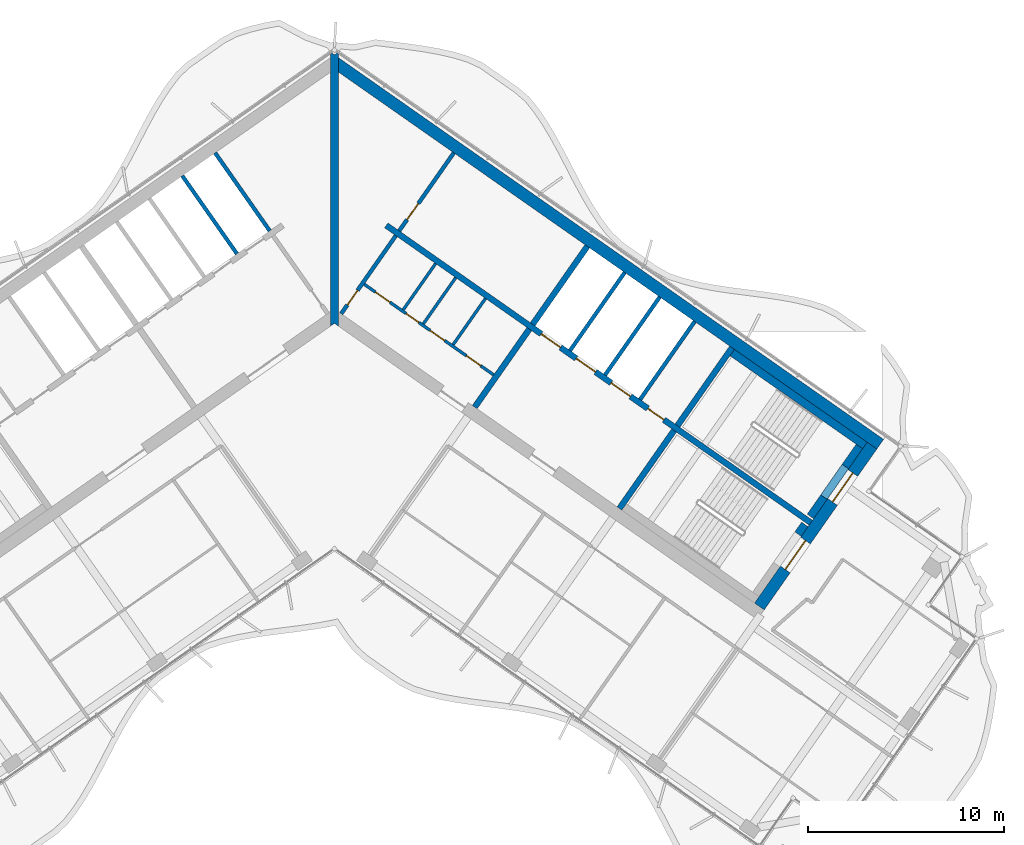
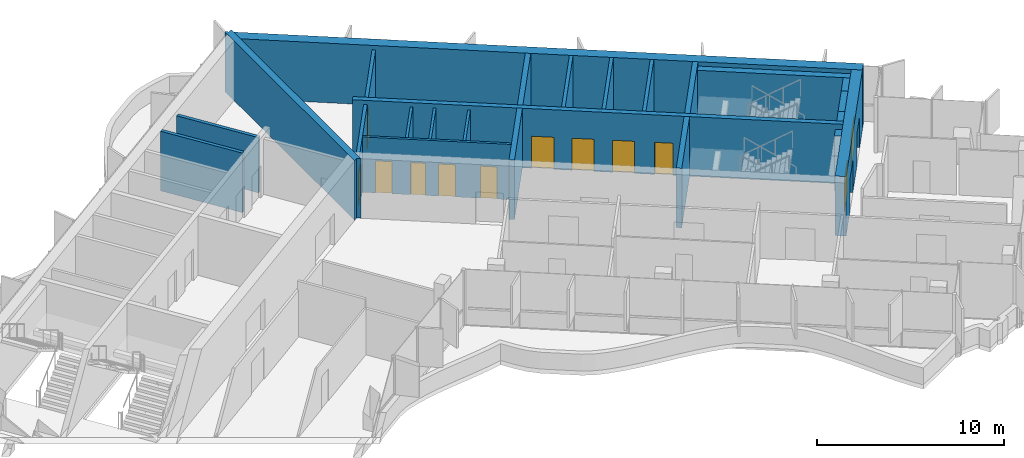
# One storey, part 13 of 20: 24 walls, 12 doors, 12 openings.
"""IFC4 building model written with IfcOpenShell, lengths in metres."""

from ifc_helpers import new_model, si_unit, direction, frame, frame_2d, origin, place, context, subcontext, project, spatial, polyline, rectangle, outline, extrude, material, layer, layer_set, type_object, element, fill, save


model = new_model("IFC4")

# Units and contexts
model_context = context("Model", 3, precision=1e-05, world=origin(), true_north=direction((0.0, 1.0)))
body_context = subcontext(model_context, "Body", "Model", "MODEL_VIEW")
ifc_project = project(units=[si_unit("LENGTHUNIT", "METRE"), si_unit("AREAUNIT", "SQUARE_METRE"), si_unit("VOLUMEUNIT", "CUBIC_METRE"), si_unit("PLANEANGLEUNIT", "RADIAN"), si_unit("MASSUNIT", "GRAM", prefix="KILO")], contexts=[model_context])

# Site, building, storey
site_placement = place(None, origin())
site = spatial("IfcSite", under=ifc_project, at=site_placement, CompositionType="ELEMENT")
building_placement = place(site_placement, origin())
building = spatial("IfcBuilding", under=site, at=building_placement, Name="Tel Ilan Convention Tower", CompositionType="ELEMENT")
storey_placement = place(building_placement, frame((0.0, 0.0, 244.89990234375)))
storey = spatial("IfcBuildingStorey", under=building, at=storey_placement, Name="L57", CompositionType="ELEMENT", Elevation=244.89990234375)

# Wall, openings, doors
ifc_material_1 = material(Name="Gypsum Plasterboard on Steel Stud", Category="steel")
ifc_layer_1 = layer(ifc_material_1, 0.14990234375)
ifc_layer_set_1 = layer_set([ifc_layer_1], Name="Core Room Partition Wall 150 mm EI 60")
wall_type_1 = type_object("IfcWallType", Name="Core Room Partition Wall 150 mm EI 60", PredefinedType="PARTITIONING", material=ifc_layer_set_1)
wall_1_placement = place(storey_placement, frame((1.515625, 0.77001953125, 0.0), z_axis=(0.0, 0.0, 1.0), x_axis=(0.819146424436, -0.573584462249, 0.0)))
wall_1 = element("IfcWall", 1, at=wall_1_placement, inside=storey, type_object=wall_type_1, Name="L57 core wall wc-h1", PredefinedType="PARTITIONING", context=body_context, shape_type="SweptSolid", body=[
    extrude(rectangle(XDim=8.050048828125, YDim=0.14990234375, at=frame_2d((4.02490234375, 0.0))), origin(), (0.0, 0.0, 1.0), 3.6201171875),
])
opening_1_placement = place(wall_1_placement, frame((0.699951171875, 0.0, 0.0)))
opening_1 = element("IfcOpeningElement", 2, at=opening_1_placement, cuts=wall_1, Name="Opening CD4413", PredefinedType="OPENING", context=body_context, shape_type="SweptSolid", body=[
    extrude(rectangle(XDim=0.89990234375, YDim=2.10009765625, at=frame_2d((0.449951171875, 1.050048828125))), frame((0.0, 0.0849609375, 0.0), z_axis=(0.0, -1.0, 0.0), x_axis=(1.0, 0.0, 0.0)), (0.0, 0.0, 1.0), 0.169921875),
])
opening_2_placement = place(wall_1_placement, frame((2.60009765625, 0.0, 0.0)))
opening_2 = element("IfcOpeningElement", 3, at=opening_2_placement, cuts=wall_1, Name="Opening CD4412", PredefinedType="OPENING", context=body_context, shape_type="SweptSolid", body=[
    extrude(rectangle(XDim=0.800048828125, YDim=2.10009765625, at=frame_2d((0.39990234375, 1.050048828125))), frame((0.0, 0.0849609375, 0.0), z_axis=(0.0, -1.0, 0.0), x_axis=(1.0, 0.0, 0.0)), (0.0, 0.0, 1.0), 0.169921875),
])
opening_3_placement = place(wall_1_placement, frame((4.10009765625, 0.0, 0.0)))
opening_3 = element("IfcOpeningElement", 4, at=opening_3_placement, cuts=wall_1, Name="Opening CD4411", PredefinedType="OPENING", context=body_context, shape_type="SweptSolid", body=[
    extrude(rectangle(XDim=0.89990234375, YDim=2.10009765625, at=frame_2d((0.449951171875, 1.050048828125))), frame((0.0, 0.0849609375, 0.0), z_axis=(0.0, -1.0, 0.0), x_axis=(1.0, 0.0, 0.0)), (0.0, 0.0, 1.0), 0.169921875),
])
opening_4_placement = place(wall_1_placement, frame((6.35009765625, 0.0, 0.0)))
opening_4 = element("IfcOpeningElement", 5, at=opening_4_placement, cuts=wall_1, Name="Opening CD4414", PredefinedType="OPENING", context=body_context, shape_type="SweptSolid", body=[
    extrude(rectangle(XDim=0.89990234375, YDim=2.10009765625, at=frame_2d((0.449951171875, 1.050048828125))), frame((0.0, 0.0849609375, 0.0), z_axis=(0.0, -1.0, 0.0), x_axis=(1.0, 0.0, 0.0)), (0.0, 0.0, 1.0), 0.169921875),
])
ifc_material_2 = material(Name="Galvanised Steel Door Leaf", Category="steel")
door_type_1 = type_object("IfcDoorType", Name="Store Door 800 x 2100 FD60", OperationType="NOTDEFINED", PredefinedType="DOOR", material=ifc_material_2)
door_1_placement = place(opening_2_placement, origin())
door_1 = element("IfcDoor", 6, at=door_1_placement, inside=storey, type_object=door_type_1, Name="Cleaner's store door", OperationType="SINGLE_SWING_RIGHT", OverallHeight=2.10009765625, OverallWidth=0.800048828125, PredefinedType="DOOR", context=body_context, shape_type="SweptSolid", body=[
    extrude(rectangle(XDim=0.800048828125, YDim=2.10009765625, at=frame_2d((0.39990234375, 1.050048828125))), frame((0.0, 0.02490234375, 0.0), z_axis=(0.0, -1.0, 0.0), x_axis=(1.0, 0.0, 0.0)), (0.0, 0.0, 1.0), 0.050048828125),
])
fill(opening_2, door_1)
ifc_material_3 = material(Name="Laminated Timber Door Leaf", Category="wood")
door_type_2 = type_object("IfcDoorType", Name="Toilet Door 900 x 2100 FD30S", OperationType="NOTDEFINED", PredefinedType="DOOR", material=ifc_material_3)
door_2_placement = place(opening_1_placement, origin())
door_2 = element("IfcDoor", 7, at=door_2_placement, inside=storey, type_object=door_type_2, Name="Men's WC door", OperationType="SINGLE_SWING_RIGHT", OverallHeight=2.10009765625, OverallWidth=0.89990234375, PredefinedType="DOOR", context=body_context, shape_type="SweptSolid", body=[
    extrude(rectangle(XDim=0.89990234375, YDim=2.10009765625, at=frame_2d((0.449951171875, 1.050048828125))), frame((0.0, 0.02490234375, 0.0), z_axis=(0.0, -1.0, 0.0), x_axis=(1.0, 0.0, 0.0)), (0.0, 0.0, 1.0), 0.050048828125),
])
fill(opening_1, door_2)
door_3_placement = place(opening_3_placement, origin())
door_3 = element("IfcDoor", 8, at=door_3_placement, inside=storey, type_object=door_type_2, Name="Accessible WC door", OperationType="SINGLE_SWING_RIGHT", OverallHeight=2.10009765625, OverallWidth=0.89990234375, PredefinedType="DOOR", context=body_context, shape_type="SweptSolid", body=[
    extrude(rectangle(XDim=0.89990234375, YDim=2.10009765625, at=frame_2d((0.449951171875, 1.050048828125))), frame((0.0, 0.02490234375, 0.0), z_axis=(0.0, -1.0, 0.0), x_axis=(1.0, 0.0, 0.0)), (0.0, 0.0, 1.0), 0.050048828125),
])
fill(opening_3, door_3)
door_4_placement = place(opening_4_placement, origin())
door_4 = element("IfcDoor", 9, at=door_4_placement, inside=storey, type_object=door_type_2, Name="Women's WC door", OperationType="SINGLE_SWING_RIGHT", OverallHeight=2.10009765625, OverallWidth=0.89990234375, PredefinedType="DOOR", context=body_context, shape_type="SweptSolid", body=[
    extrude(rectangle(XDim=0.89990234375, YDim=2.10009765625, at=frame_2d((0.449951171875, 1.050048828125))), frame((0.0, 0.02490234375, 0.0), z_axis=(0.0, -1.0, 0.0), x_axis=(1.0, 0.0, 0.0)), (0.0, 0.0, 1.0), 0.050048828125),
])
fill(opening_4, door_4)

# Walls
wall_2_placement = place(storey_placement, frame((3.504150390625, -0.531005859375, 0.0), z_axis=(0.0, 0.0, 1.0), x_axis=(0.573582013179, 0.819148139324, 0.0)))
element("IfcWall", 10, at=wall_2_placement, inside=storey, type_object=wall_type_1, Name="L57 core wall wc-v0", PredefinedType="PARTITIONING", context=body_context, shape_type="SweptSolid", body=[
    extrude(rectangle(XDim=2.875244140625, YDim=0.14990234375, at=frame_2d((1.4375, 0.0))), origin(), (0.0, 0.0, 1.0), 3.6201171875),
])
wall_3_placement = place(storey_placement, frame((4.528076171875, -1.247802734375, 0.0), z_axis=(0.0, 0.0, 1.0), x_axis=(0.573621911162, 0.819120200602, 0.0)))
element("IfcWall", 11, at=wall_3_placement, inside=storey, type_object=wall_type_1, Name="L57 core wall wc-v1", PredefinedType="PARTITIONING", context=body_context, shape_type="SweptSolid", body=[
    extrude(rectangle(XDim=2.875, YDim=0.14990234375, at=frame_2d((1.4375, 0.0))), origin(), (0.0, 0.0, 1.0), 3.6201171875),
])
wall_4_placement = place(storey_placement, frame((6.043701171875, -2.30908203125, 0.0), z_axis=(0.0, 0.0, 1.0), x_axis=(0.573564930514, 0.819160100642, 0.0)))
element("IfcWall", 12, at=wall_4_placement, inside=storey, type_object=wall_type_1, Name="L57 core wall wc-v2", PredefinedType="PARTITIONING", context=body_context, shape_type="SweptSolid", body=[
    extrude(rectangle(XDim=2.874755859375, YDim=0.14990234375, at=frame_2d((1.4375, 0.0))), origin(), (0.0, 0.0, 1.0), 3.6201171875),
])
ifc_material_4 = material(Name="Concrete C30/37", Category="concrete")
ifc_layer_2 = layer(ifc_material_4, 0.199951171875)
ifc_layer_set_2 = layer_set([ifc_layer_2], Name="Core Service Room Wall 200 mm C30/37")
wall_type_2 = type_object("IfcWallType", Name="Core Service Room Wall 200 mm C30/37", PredefinedType="SOLIDWALL", material=ifc_layer_set_2)
wall_5_placement = place(storey_placement, frame((-3.2978515625, 3.489501953125, 0.0), z_axis=(0.0, 0.0, 1.0), x_axis=(-0.573560315113, 0.819163332265, 0.0)))
element("IfcWall", 13, at=wall_5_placement, inside=storey, type_object=wall_type_2, Name="L57 core wall apex-W-b", PredefinedType="SOLIDWALL", context=body_context, shape_type="SweptSolid", body=[
    extrude(rectangle(XDim=4.849853515625, YDim=0.199951171875, at=frame_2d((2.4248046875, 0.0))), origin(), (0.0, 0.0, 1.0), 3.6201171875),
])

# Wall, opening, door
wall_6_placement = place(storey_placement, frame((0.343994140625, -0.729248046875, 0.0), z_axis=(0.0, 0.0, 1.0), x_axis=(0.573560315113, 0.819163332265, 0.0)))
wall_6 = element("IfcWall", 14, at=wall_6_placement, inside=storey, type_object=wall_type_2, Name="L57 core wall apex-E", PredefinedType="SOLIDWALL", context=body_context, shape_type="SweptSolid", body=[
    extrude(rectangle(XDim=4.849853515625, YDim=0.199951171875, at=frame_2d((2.4248046875, 0.0))), origin(), (0.0, 0.0, 1.0), 3.6201171875),
])
opening_5_placement = place(wall_6_placement, frame((0.550048828125, 0.0, 0.0)))
opening_5 = element("IfcOpeningElement", 15, at=opening_5_placement, cuts=wall_6, Name="Opening CD4401", PredefinedType="OPENING", context=body_context, shape_type="SweptSolid", body=[
    extrude(rectangle(XDim=0.89990234375, YDim=2.10009765625, at=frame_2d((0.449951171875, 1.050048828125))), frame((0.0, 0.10986328125, 0.0), z_axis=(0.0, -1.0, 0.0), x_axis=(1.0, 0.0, 0.0)), (0.0, 0.0, 1.0), 0.219970703125),
])
ifc_material_5 = material(Name="Galvanised Steel Door Leaf", Category="steel")
door_type_3 = type_object("IfcDoorType", Name="Service Room Door 900 x 2100 FD60", OperationType="NOTDEFINED", PredefinedType="DOOR", material=ifc_material_5)
door_5_placement = place(opening_5_placement, origin())
door_5 = element("IfcDoor", 16, at=door_5_placement, inside=storey, type_object=door_type_3, Name="Electrical Room door", OperationType="SINGLE_SWING_RIGHT", OverallHeight=2.10009765625, OverallWidth=0.89990234375, PredefinedType="DOOR", context=body_context, shape_type="SweptSolid", body=[
    extrude(rectangle(XDim=0.89990234375, YDim=2.10009765625, at=frame_2d((0.449951171875, 1.050048828125))), frame((0.0, 0.02490234375, 0.0), z_axis=(0.0, -1.0, 0.0), x_axis=(1.0, 0.0, 0.0)), (0.0, 0.0, 1.0), 0.050048828125),
])
fill(opening_5, door_5)

wall_7_placement = place(storey_placement, frame((3.2978515625, 3.489501953125, 0.0), z_axis=(0.0, 0.0, 1.0), x_axis=(0.573560315113, 0.819163332265, 0.0)))
wall_7 = element("IfcWall", 17, at=wall_7_placement, inside=storey, type_object=wall_type_2, Name="L57 core wall apex-E-b", PredefinedType="SOLIDWALL", context=body_context, shape_type="SweptSolid", body=[
    extrude(rectangle(XDim=4.849853515625, YDim=0.199951171875, at=frame_2d((2.4248046875, 0.0))), origin(), (0.0, 0.0, 1.0), 3.6201171875),
])
opening_6_placement = place(wall_7_placement, frame((0.699951171875, 0.0, 0.0)))
opening_6 = element("IfcOpeningElement", 18, at=opening_6_placement, cuts=wall_7, Name="Opening CD4403", PredefinedType="OPENING", context=body_context, shape_type="SweptSolid", body=[
    extrude(rectangle(XDim=1.0, YDim=2.10009765625, at=frame_2d((0.5, 1.050048828125))), frame((0.0, 0.10986328125, 0.0), z_axis=(0.0, -1.0, 0.0), x_axis=(1.0, 0.0, 0.0)), (0.0, 0.0, 1.0), 0.219970703125),
])
ifc_material_6 = material(Name="Galvanised Steel Door Leaf", Category="steel")
door_type_4 = type_object("IfcDoorType", Name="Service Room Door 1000 x 2100 FD60", OperationType="NOTDEFINED", PredefinedType="DOOR", material=ifc_material_6)
door_6_placement = place(opening_6_placement, origin())
door_6 = element("IfcDoor", 19, at=door_6_placement, inside=storey, type_object=door_type_4, Name="Plant Room door", OperationType="SINGLE_SWING_RIGHT", OverallHeight=2.10009765625, OverallWidth=1.0, PredefinedType="DOOR", context=body_context, shape_type="SweptSolid", body=[
    extrude(rectangle(XDim=1.0, YDim=2.10009765625, at=frame_2d((0.5, 1.050048828125))), frame((0.0, 0.02490234375, 0.0), z_axis=(0.0, -1.0, 0.0), x_axis=(1.0, 0.0, 0.0)), (0.0, 0.0, 1.0), 0.050048828125),
])
fill(opening_6, door_6)

# Walls
ifc_material_7 = material(Name="Concrete C40/50", Category="concrete")
ifc_layer_3 = layer(ifc_material_7, 0.300048828125)
ifc_layer_set_3 = layer_set([ifc_layer_3], Name="Core Shear Wall 300 mm C40/50")
wall_type_3 = type_object("IfcWallType", Name="Core Shear Wall 300 mm C40/50", PredefinedType="SHEAR", material=ifc_layer_set_3)
wall_8_placement = place(storey_placement, frame((7.142822265625, -5.48974609375, 0.0), z_axis=(0.0, 0.0, 1.0), x_axis=(0.573617744349, 0.819123118565, 0.0)))
element("IfcWall", 20, at=wall_8_placement, inside=storey, type_object=wall_type_3, Name="L57 core wall E-cross1-1", PredefinedType="SHEAR", context=body_context, shape_type="SweptSolid", body=[
    extrude(outline(polyline([(0.0, 0.14990234375), (0.0, -0.150146484375), (4.85009765625, -0.14990234375), (4.85009765625, 0.150146484375), (0.0, 0.14990234375)])), origin(), (0.0, 0.0, 1.0), 3.900146484375),
])
wall_9_placement = place(storey_placement, frame((10.096923828125, -1.271240234375, 0.0), z_axis=(0.0, 0.0, 1.0), x_axis=(0.573560315113, 0.819163332265, 0.0)))
element("IfcWall", 21, at=wall_9_placement, inside=storey, type_object=wall_type_3, Name="L57 core wall E-cross1-2", PredefinedType="SHEAR", context=body_context, shape_type="SweptSolid", body=[
    extrude(outline(polyline([(4.849853515625, -0.150146484375), (4.849853515625, 0.14990234375), (0.0, 0.150146484375), (0.0, -0.14990234375), (4.849853515625, -0.150146484375)])), origin(), (0.0, 0.0, 1.0), 3.900146484375),
])
wall_10_placement = place(storey_placement, frame((14.515380859375, -10.652099609375, 0.0), z_axis=(0.0, 0.0, 1.0), x_axis=(0.573560315113, 0.819163332265, 0.0)))
element("IfcWall", 22, at=wall_10_placement, inside=storey, type_object=wall_type_3, Name="L57 core wall E-cross2-1", PredefinedType="SHEAR", context=body_context, shape_type="SweptSolid", body=[
    extrude(outline(polyline([(0.0, 0.150146484375), (0.0, -0.14990234375), (4.85009765625, -0.14990234375), (4.85009765625, 0.14990234375), (0.0, 0.150146484375)])), origin(), (0.0, 0.0, 1.0), 3.900146484375),
])
wall_11_placement = place(storey_placement, frame((17.46923828125, -6.433349609375, 0.0), z_axis=(0.0, 0.0, 1.0), x_axis=(0.573594092424, 0.81913968109, 0.0)))
element("IfcWall", 23, at=wall_11_placement, inside=storey, type_object=wall_type_3, Name="L57 core wall E-cross2-2", PredefinedType="SHEAR", context=body_context, shape_type="SweptSolid", body=[
    extrude(outline(polyline([(4.849853515625, -0.14990234375), (4.849853515625, 0.150146484375), (0.0, 0.14990234375), (0.0, -0.14990234375), (4.849853515625, -0.14990234375)])), origin(), (0.0, 0.0, 1.0), 3.900146484375),
])

# Wall, openings, doors
wall_12_placement = place(storey_placement, frame((2.638427734375, 3.76806640625, 0.0), z_axis=(0.0, 0.0, 1.0), x_axis=(0.819155014212, -0.573572194837, 0.0)))
wall_12 = element("IfcWall", 24, at=wall_12_placement, inside=storey, type_object=wall_type_3, Name="L57 core wall E-spine", PredefinedType="SHEAR", context=body_context, shape_type="SweptSolid", body=[
    extrude(outline(polyline([(0.0, 0.150146484375), (0.0, -0.14990234375), (26.39990234375, -0.150146484375), (26.39990234375, 0.14990234375), (0.0, 0.150146484375)])), origin(), (0.0, 0.0, 1.0), 3.900146484375),
])
opening_7_placement = place(wall_12_placement, frame((9.637451171875, 0.0, 0.0)))
opening_7 = element("IfcOpeningElement", 25, at=opening_7_placement, cuts=wall_12, Name="Opening LD4401", PredefinedType="OPENING", context=body_context, shape_type="SweptSolid", body=[
    extrude(rectangle(XDim=1.199951171875, YDim=2.10009765625, at=frame_2d((0.60009765625, 1.050048828125))), frame((0.0, 0.159912109375, 0.0), z_axis=(0.0, -1.0, 0.0), x_axis=(1.0, 0.0, 0.0)), (0.0, 0.0, 1.0), 0.320068359375),
])
opening_8_placement = place(wall_12_placement, frame((11.8125, 0.0, 0.0)))
opening_8 = element("IfcOpeningElement", 26, at=opening_8_placement, cuts=wall_12, Name="Opening LD4402", PredefinedType="OPENING", context=body_context, shape_type="SweptSolid", body=[
    extrude(rectangle(XDim=1.199951171875, YDim=2.10009765625, at=frame_2d((0.60009765625, 1.050048828125))), frame((0.0, 0.159912109375, 0.0), z_axis=(0.0, -1.0, 0.0), x_axis=(1.0, 0.0, 0.0)), (0.0, 0.0, 1.0), 0.320068359375),
])
opening_9_placement = place(wall_12_placement, frame((13.987548828125, 0.0, 0.0)))
opening_9 = element("IfcOpeningElement", 27, at=opening_9_placement, cuts=wall_12, Name="Opening LD4403", PredefinedType="OPENING", context=body_context, shape_type="SweptSolid", body=[
    extrude(rectangle(XDim=1.199951171875, YDim=2.10009765625, at=frame_2d((0.60009765625, 1.050048828125))), frame((0.0, 0.159912109375, 0.0), z_axis=(0.0, -1.0, 0.0), x_axis=(1.0, 0.0, 0.0)), (0.0, 0.0, 1.0), 0.320068359375),
])
opening_10_placement = place(wall_12_placement, frame((16.262451171875, 0.0, 0.0)))
opening_10 = element("IfcOpeningElement", 28, at=opening_10_placement, cuts=wall_12, Name="Opening CD4408", PredefinedType="OPENING", context=body_context, shape_type="SweptSolid", body=[
    extrude(rectangle(XDim=1.0, YDim=2.10009765625, at=frame_2d((0.5, 1.050048828125))), frame((0.0, 0.159912109375, 0.0), z_axis=(0.0, -1.0, 0.0), x_axis=(1.0, 0.0, 0.0)), (0.0, 0.0, 1.0), 0.320068359375),
])
ifc_material_8 = material(Name="Stainless Steel Sliding Door Leaf", Category="steel")
door_type_5 = type_object("IfcDoorType", Name="Lift Landing Door 1200 x 2100 FD120", OperationType="NOTDEFINED", PredefinedType="DOOR", material=ifc_material_8)
door_7_placement = place(opening_7_placement, origin())
door_7 = element("IfcDoor", 29, at=door_7_placement, inside=storey, type_object=door_type_5, Name="Lift FL1 landing door", OperationType="SLIDING_TO_LEFT", OverallHeight=2.10009765625, OverallWidth=1.199951171875, PredefinedType="DOOR", context=body_context, shape_type="SweptSolid", body=[
    extrude(rectangle(XDim=1.199951171875, YDim=2.10009765625, at=frame_2d((0.60009765625, 1.050048828125))), frame((0.0, 0.02490234375, 0.0), z_axis=(0.0, -1.0, 0.0), x_axis=(1.0, 0.0, 0.0)), (0.0, 0.0, 1.0), 0.050048828125),
])
fill(opening_7, door_7)
door_8_placement = place(opening_8_placement, origin())
door_8 = element("IfcDoor", 30, at=door_8_placement, inside=storey, type_object=door_type_5, Name="Lift FL2 landing door", OperationType="SLIDING_TO_RIGHT", OverallHeight=2.10009765625, OverallWidth=1.199951171875, PredefinedType="DOOR", context=body_context, shape_type="SweptSolid", body=[
    extrude(rectangle(XDim=1.199951171875, YDim=2.10009765625, at=frame_2d((0.60009765625, 1.050048828125))), frame((0.0, 0.02490234375, 0.0), z_axis=(0.0, -1.0, 0.0), x_axis=(1.0, 0.0, 0.0)), (0.0, 0.0, 1.0), 0.050048828125),
])
fill(opening_8, door_8)
door_9_placement = place(opening_9_placement, origin())
door_9 = element("IfcDoor", 31, at=door_9_placement, inside=storey, type_object=door_type_5, Name="Lift FL3 landing door", OperationType="SLIDING_TO_LEFT", OverallHeight=2.10009765625, OverallWidth=1.199951171875, PredefinedType="DOOR", context=body_context, shape_type="SweptSolid", body=[
    extrude(rectangle(XDim=1.199951171875, YDim=2.10009765625, at=frame_2d((0.60009765625, 1.050048828125))), frame((0.0, 0.02490234375, 0.0), z_axis=(0.0, -1.0, 0.0), x_axis=(1.0, 0.0, 0.0)), (0.0, 0.0, 1.0), 0.050048828125),
])
fill(opening_9, door_9)
door_10_placement = place(opening_10_placement, origin())
door_10 = element("IfcDoor", 32, at=door_10_placement, inside=storey, type_object=door_type_4, Name="Plant Room door", OperationType="SINGLE_SWING_RIGHT", OverallHeight=2.10009765625, OverallWidth=1.0, PredefinedType="DOOR", context=body_context, shape_type="SweptSolid", body=[
    extrude(rectangle(XDim=1.0, YDim=2.10009765625, at=frame_2d((0.5, 1.050048828125))), frame((0.0, 0.02490234375, 0.0), z_axis=(0.0, -1.0, 0.0), x_axis=(1.0, 0.0, 0.0)), (0.0, 0.0, 1.0), 0.050048828125),
])
fill(opening_10, door_10)

# Walls
ifc_material_9 = material(Name="Concrete C40/50", Category="concrete")
ifc_layer_4 = layer(ifc_material_9, 0.39990234375)
ifc_layer_set_4 = layer_set([ifc_layer_4], Name="Core Shear Wall 400 mm C40/50")
wall_type_4 = type_object("IfcWallType", Name="Core Shear Wall 400 mm C40/50", PredefinedType="SHEAR", material=ifc_layer_set_4)
wall_13_placement = place(storey_placement, frame((0.0, -1.36083984375, 0.0), z_axis=(0.0, 0.0, 1.0), x_axis=(0.0, 1.0, 0.0)))
element("IfcWall", 33, at=wall_13_placement, inside=storey, type_object=wall_type_4, Name="L57 core wall K-central", PredefinedType="SHEAR", context=body_context, shape_type="SweptSolid", body=[
    extrude(outline(polyline([(0.14013671875, 0.199951171875), (0.0, 0.199951171875), (0.14013671875, 0.0), (0.0, -0.199951171875), (0.14013671875, -0.199951171875), (1.012451171875, -0.199951171875), (12.940185546875, -0.199951171875), (13.812744140625, -0.199951171875), (13.893310546875, -0.199951171875), (13.933349609375, -0.172119140625), (13.812744140625, 0.0), (13.933349609375, 0.172119140625), (13.893310546875, 0.199951171875), (13.812744140625, 0.199951171875), (12.940185546875, 0.199951171875), (1.012451171875, 0.199951171875), (0.14013671875, 0.199951171875)])), origin(), (0.0, 0.0, 1.0), 3.900146484375),
])
ifc_material_10 = material(Name="Concrete C40/50", Category="concrete")
ifc_layer_5 = layer(ifc_material_10, 0.60009765625)
ifc_layer_set_5 = layer_set([ifc_layer_5], Name="Core Shear Wall 600 mm C40/50")
wall_type_5 = type_object("IfcWallType", Name="Core Shear Wall 600 mm C40/50", PredefinedType="SHEAR", material=ifc_layer_set_5)
wall_14_placement = place(storey_placement, frame((0.02783203125, 12.066162109375, 0.0), z_axis=(0.0, 0.0, 1.0), x_axis=(0.819151382952, -0.573577380837, 0.0)))
element("IfcWall", 34, at=wall_14_placement, inside=storey, type_object=wall_type_5, Name="L57 core wall E-back", PredefinedType="SHEAR", context=body_context, shape_type="SweptSolid", body=[
    extrude(outline(polyline([(33.898193359375, 0.300048828125), (0.0, 0.300048828125), (0.420166015625, -0.300048828125), (33.89794921875, -0.300048828125), (33.898193359375, 0.300048828125)])), origin(), (0.0, 0.0, 1.0), 3.900146484375),
])

# Wall, openings, doors
wall_15_placement = place(storey_placement, frame((21.641845703125, -15.64208984375, 0.0), z_axis=(0.0, 0.0, 1.0), x_axis=(0.573586866468, 0.819144740944, 0.0)))
wall_15 = element("IfcWall", 35, at=wall_15_placement, inside=storey, type_object=wall_type_5, Name="L57 core wall E-end", PredefinedType="SHEAR", context=body_context, shape_type="SweptSolid", body=[
    extrude(outline(polyline([(10.0, 0.300048828125), (0.0, 0.2998046875), (0.0, -0.300048828125), (10.0, -0.300048828125), (10.0, 0.300048828125)])), origin(), (0.0, 0.0, 1.0), 3.900146484375),
])
opening_11_placement = place(wall_15_placement, frame((6.5, 0.0, 0.0)))
opening_11 = element("IfcOpeningElement", 36, at=opening_11_placement, cuts=wall_15, Name="Opening SD4403", PredefinedType="OPENING", context=body_context, shape_type="SweptSolid", body=[
    extrude(rectangle(XDim=1.800048828125, YDim=2.10009765625, at=frame_2d((0.89990234375, 1.050048828125))), frame((0.0, 0.31005859375, 0.0), z_axis=(0.0, -1.0, 0.0), x_axis=(1.0, 0.0, 0.0)), (0.0, 0.0, 1.0), 0.6201171875),
])
opening_12_placement = place(wall_15_placement, frame((2.300048828125, 0.0, 0.0)))
opening_12 = element("IfcOpeningElement", 37, at=opening_12_placement, cuts=wall_15, Name="Opening SD4404", PredefinedType="OPENING", context=body_context, shape_type="SweptSolid", body=[
    extrude(rectangle(XDim=1.800048828125, YDim=2.10009765625, at=frame_2d((0.89990234375, 1.050048828125))), frame((0.0, 0.31005859375, 0.0), z_axis=(0.0, -1.0, 0.0), x_axis=(1.0, 0.0, 0.0)), (0.0, 0.0, 1.0), 0.6201171875),
])
ifc_material_11 = material(Name="Galvanised Steel Door Leaf", Category="steel")
door_type_6 = type_object("IfcDoorType", Name="Stair Fire Door 1800 x 2100 FD60S", OperationType="NOTDEFINED", PredefinedType="DOOR", material=ifc_material_11)
door_11_placement = place(opening_11_placement, origin())
door_11 = element("IfcDoor", 38, at=door_11_placement, inside=storey, type_object=door_type_6, Name="Stair S3 door", OperationType="DOUBLE_DOOR_SINGLE_SWING", OverallHeight=2.10009765625, OverallWidth=1.800048828125, PredefinedType="DOOR", context=body_context, shape_type="SweptSolid", body=[
    extrude(rectangle(XDim=1.800048828125, YDim=2.10009765625, at=frame_2d((0.89990234375, 1.050048828125))), frame((0.0, 0.02490234375, 0.0), z_axis=(0.0, -1.0, 0.0), x_axis=(1.0, 0.0, 0.0)), (0.0, 0.0, 1.0), 0.050048828125),
])
fill(opening_11, door_11)
door_12_placement = place(opening_12_placement, origin())
door_12 = element("IfcDoor", 39, at=door_12_placement, inside=storey, type_object=door_type_6, Name="Stair S4 door", OperationType="DOUBLE_DOOR_SINGLE_SWING", OverallHeight=2.10009765625, OverallWidth=1.800048828125, PredefinedType="DOOR", context=body_context, shape_type="SweptSolid", body=[
    extrude(rectangle(XDim=1.800048828125, YDim=2.10009765625, at=frame_2d((0.89990234375, 1.050048828125))), frame((0.0, 0.02490234375, 0.0), z_axis=(0.0, -1.0, 0.0), x_axis=(1.0, 0.0, 0.0)), (0.0, 0.0, 1.0), 0.050048828125),
])
fill(opening_12, door_12)

# Walls
ifc_material_12 = material(Name="Concrete C30/37", Category="concrete")
ifc_layer_6 = layer(ifc_material_12, 0.199951171875)
ifc_layer_set_6 = layer_set([ifc_layer_6], Name="Lift Shaft Wall 200 mm C30/37")
wall_type_6 = type_object("IfcWallType", Name="Lift Shaft Wall 200 mm C30/37", PredefinedType="SOLIDWALL", material=ifc_layer_set_6)
wall_16_placement = place(storey_placement, frame((-4.966796875, 2.32080078125, 0.0), z_axis=(0.0, 0.0, 1.0), x_axis=(-0.573594092424, 0.81913968109, 0.0)))
element("IfcWall", 40, at=wall_16_placement, inside=storey, type_object=wall_type_6, Name="L57 core wall bank-W1-p0", PredefinedType="SOLIDWALL", context=body_context, shape_type="SweptSolid", body=[
    extrude(rectangle(XDim=4.85009765625, YDim=0.199951171875, at=frame_2d((2.425048828125, 0.0))), origin(), (0.0, 0.0, 1.0), 3.900146484375),
])
wall_17_placement = place(storey_placement, frame((12.00146484375, -2.604736328125, 0.0), z_axis=(0.0, 0.0, 1.0), x_axis=(0.573560315113, 0.819163332265, 0.0)))
element("IfcWall", 41, at=wall_17_placement, inside=storey, type_object=wall_type_6, Name="L57 core wall bank-E2-p0", PredefinedType="SOLIDWALL", context=body_context, shape_type="SweptSolid", body=[
    extrude(rectangle(XDim=4.849853515625, YDim=0.199951171875, at=frame_2d((2.4248046875, 0.0))), origin(), (0.0, 0.0, 1.0), 3.900146484375),
])
wall_18_placement = place(storey_placement, frame((13.782958984375, -3.852294921875, 0.0), z_axis=(0.0, 0.0, 1.0), x_axis=(0.573594092424, 0.81913968109, 0.0)))
element("IfcWall", 42, at=wall_18_placement, inside=storey, type_object=wall_type_6, Name="L57 core wall bank-E2-p1", PredefinedType="SOLIDWALL", context=body_context, shape_type="SweptSolid", body=[
    extrude(rectangle(XDim=4.85009765625, YDim=0.199951171875, at=frame_2d((2.425048828125, 0.0))), origin(), (0.0, 0.0, 1.0), 3.900146484375),
])
wall_19_placement = place(storey_placement, frame((15.564697265625, -5.099853515625, 0.0), z_axis=(0.0, 0.0, 1.0), x_axis=(0.573560315113, 0.819163332265, 0.0)))
element("IfcWall", 43, at=wall_19_placement, inside=storey, type_object=wall_type_6, Name="L57 core wall bank-E2-p2", PredefinedType="SOLIDWALL", context=body_context, shape_type="SweptSolid", body=[
    extrude(rectangle(XDim=4.849853515625, YDim=0.199951171875, at=frame_2d((2.4248046875, 0.0))), origin(), (0.0, 0.0, 1.0), 3.900146484375),
])
ifc_material_13 = material(Name="Concrete C30/37", Category="concrete")
ifc_layer_7 = layer(ifc_material_13, 0.39990234375)
ifc_layer_set_7 = layer_set([ifc_layer_7], Name="Stair and Shaft Lining Wall 400 mm C30/37")
wall_type_7 = type_object("IfcWallType", Name="Stair and Shaft Lining Wall 400 mm C30/37", PredefinedType="SOLIDWALL", material=ifc_layer_set_7)
wall_20_placement = place(storey_placement, frame((20.25927734375, -2.71044921875, 0.0), z_axis=(0.0, 0.0, 1.0), x_axis=(0.81914849389, -0.573581506813, 0.0)))
element("IfcWall", 44, at=wall_20_placement, inside=storey, type_object=wall_type_7, Name="L57 core wall lining-S3-t1", PredefinedType="SOLIDWALL", context=body_context, shape_type="SweptSolid", body=[
    extrude(rectangle(XDim=8.249755859375, YDim=0.39990234375, at=frame_2d((4.125, 0.0))), origin(), (0.0, 0.0, 1.0), 3.6201171875),
])
wall_21_placement = place(storey_placement, frame((24.24365234375, -11.0546875, 0.0), z_axis=(0.0, 0.0, 1.0), x_axis=(0.573571582932, 0.819155442668, 0.0)))
element("IfcWall", 45, at=wall_21_placement, inside=storey, type_object=wall_type_7, Name="L57 core wall lining-S3-u1-0", PredefinedType="SOLIDWALL", context=body_context, shape_type="SweptSolid", body=[
    extrude(rectangle(XDim=1.199951171875, YDim=0.39990234375, at=frame_2d((0.60009765625, 0.0))), origin(), (0.0, 0.0, 1.0), 3.6201171875),
])
wall_22_placement = place(storey_placement, frame((26.021728515625, -8.515380859375, 0.0), z_axis=(0.0, 0.0, 1.0), x_axis=(0.573619628835, 0.819121798889, 0.0)))
element("IfcWall", 46, at=wall_22_placement, inside=storey, type_object=wall_type_7, Name="L57 core wall lining-S3-u1-1", PredefinedType="SOLIDWALL", context=body_context, shape_type="SweptSolid", body=[
    extrude(rectangle(XDim=1.25, YDim=0.39990234375, at=frame_2d((0.625, 0.0))), origin(), (0.0, 0.0, 1.0), 3.6201171875),
])
wall_23_placement = place(storey_placement, frame((24.931884765625, -10.07177734375, 2.150146484375), z_axis=(0.0, 0.0, 1.0), x_axis=(0.573591692345, 0.819141361715, 0.0)))
element("IfcWall", 47, at=wall_23_placement, inside=storey, type_object=wall_type_7, Name="L57 core wall lining-S3-u1-lintel", PredefinedType="SOLIDWALL", context=body_context, shape_type="SweptSolid", body=[
    extrude(rectangle(XDim=1.900146484375, YDim=0.39990234375, at=frame_2d((0.9501953125, 0.0))), origin(), (0.0, 0.0, 1.0), 1.469970703125),
])
wall_24_placement = place(storey_placement, frame((23.61279296875, -11.955810546875, 0.0), z_axis=(0.0, 0.0, 1.0), x_axis=(0.573435029941, 0.819251039936, 0.0)))
element("IfcWall", 48, at=wall_24_placement, inside=storey, type_object=wall_type_7, Name="L57 core wall lining-S4-u1-1", PredefinedType="SOLIDWALL", context=body_context, shape_type="SweptSolid", body=[
    extrude(rectangle(XDim=0.599853515625, YDim=0.39990234375, at=frame_2d((0.2998046875, 0.0))), origin(), (0.0, 0.0, 1.0), 3.6201171875),
])

save(model, "model.ifc")
